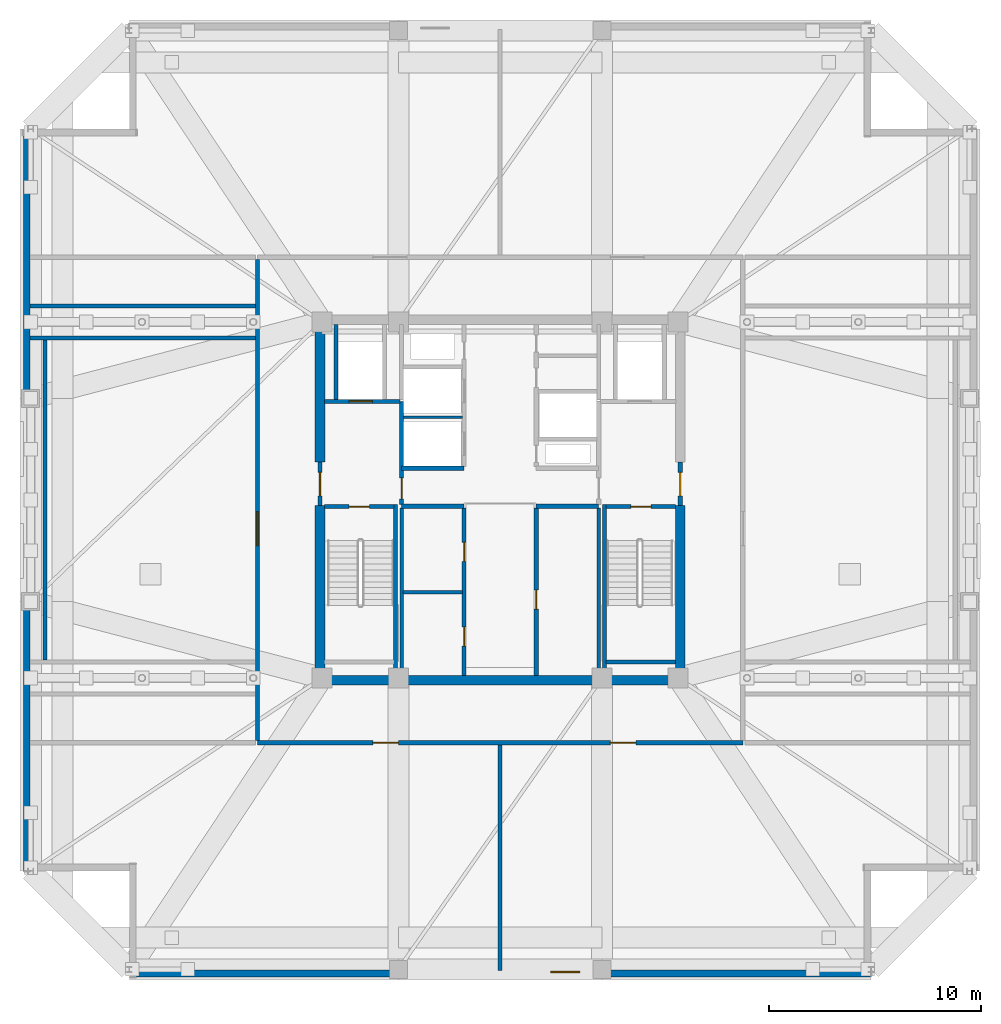
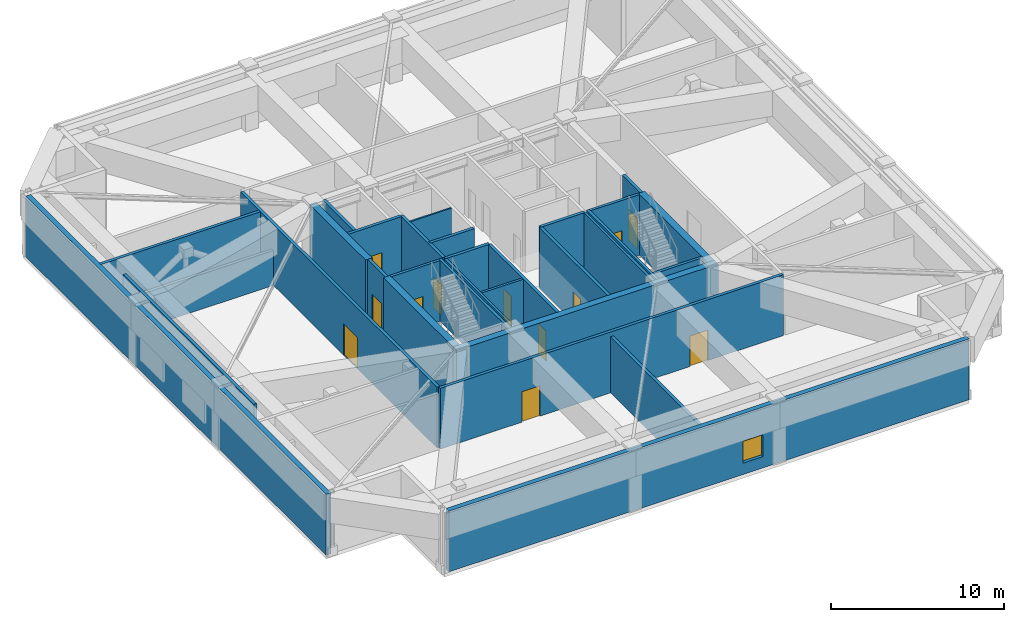
# One storey, part 10 of 17: 31 walls, 12 doors, 1 window, 13 openings.
"""IFC4 building model written with IfcOpenShell, lengths in metres."""

from ifc_helpers import new_model, si_unit, direction, frame, frame_2d, origin, place, context, subcontext, project, spatial, rectangle, extrude, material, layer, layer_set, type_object, element, fill, save


model = new_model("IFC4")

# Units and contexts
model_context = context("Model", 3, precision=1e-05, world=origin(), true_north=direction((0.0, 1.0)))
body_context = subcontext(model_context, "Body", "Model", "MODEL_VIEW")
ifc_project = project(units=[si_unit("LENGTHUNIT", "METRE"), si_unit("AREAUNIT", "SQUARE_METRE"), si_unit("VOLUMEUNIT", "CUBIC_METRE"), si_unit("PLANEANGLEUNIT", "RADIAN"), si_unit("MASSUNIT", "GRAM", prefix="KILO")], contexts=[model_context])

# Site, building, storey
site_placement = place(None, origin())
site = spatial("IfcSite", under=ifc_project, at=site_placement, CompositionType="ELEMENT")
building_placement = place(site_placement, origin())
building = spatial("IfcBuilding", under=site, at=building_placement, Name="Cairnveth Concourse Tower", CompositionType="ELEMENT")
storey_placement = place(building_placement, frame((0.0, 0.0, 276.0)))
storey = spatial("IfcBuildingStorey", under=building, at=storey_placement, Name="L76", CompositionType="ELEMENT", Elevation=276.0)

# Walls
ifc_material_1 = material(Name="Gypsum Plasterboard Partition", Category="gypsum")
ifc_layer_1 = layer(ifc_material_1, 0.159912109375)
ifc_layer_set_1 = layer_set([ifc_layer_1], Name="Gypsum Plasterboard Partition")
wall_type_1 = type_object("IfcWallType", Name="ACOUSTIC PARTY WALL 180", PredefinedType="PARTITIONING", material=ifc_layer_set_1)
wall_1_placement = place(storey_placement, frame((47.35009765625, 30.7099609375, 0.0), z_axis=(0.0, 0.0, 1.0), x_axis=(0.0, 1.0, 0.0)))
element("IfcWall", 1, at=wall_1_placement, inside=storey, type_object=wall_type_1, Name="Interior Wall IW-L76-025", PredefinedType="PARTITIONING", context=body_context, shape_type="SweptSolid", body=[
    extrude(rectangle(XDim=7.905029296875, YDim=0.159912109375, at=frame_2d((3.95263671875, 0.0))), origin(), (0.0, 0.0, 1.0), 4.2900390625),
])
wall_2_placement = place(storey_placement, frame((47.4150390625, 34.64990234375, 0.0), z_axis=(0.0, 0.0, 1.0), x_axis=(1.0, 0.0, 0.0)))
element("IfcWall", 2, at=wall_2_placement, inside=storey, type_object=wall_type_1, Name="Interior Wall IW-L76-026", PredefinedType="PARTITIONING", context=body_context, shape_type="SweptSolid", body=[
    extrude(rectangle(XDim=2.800048828125, YDim=0.159912109375, at=frame_2d((1.39990234375, 0.0))), origin(), (0.0, 0.0, 1.0), 4.2900390625),
])
wall_3_placement = place(storey_placement, frame((56.64990234375, 30.7099609375, 0.0), z_axis=(0.0, 0.0, 1.0), x_axis=(0.0, 1.0, 0.0)))
element("IfcWall", 3, at=wall_3_placement, inside=storey, type_object=wall_type_1, Name="Interior Wall IW-L76-027", PredefinedType="PARTITIONING", context=body_context, shape_type="SweptSolid", body=[
    extrude(rectangle(XDim=7.905029296875, YDim=0.159912109375, at=frame_2d((3.95263671875, 0.0))), origin(), (0.0, 0.0, 1.0), 4.2900390625),
])
ifc_material_2 = material(Name="Concrete N65 (65 MPa)", Category="concrete")
ifc_layer_2 = layer(ifc_material_2, 0.449951171875)
ifc_layer_set_2 = layer_set([ifc_layer_2], Name="Concrete N65 (65 MPa)")
wall_type_2 = type_object("IfcWallType", Name="CORE SHEAR WALL 450", PredefinedType="SHEAR", material=ifc_layer_set_2)
wall_4_placement = place(storey_placement, frame((43.27490234375, 30.5, 0.0), z_axis=(0.0, 0.0, 1.0), x_axis=(1.0, 0.0, 0.0)))
element("IfcWall", 4, at=wall_4_placement, inside=storey, type_object=wall_type_2, Name="Core South Shear Wall L76", PredefinedType="SHEAR", context=body_context, shape_type="SweptSolid", body=[
    extrude(rectangle(XDim=17.4501953125, YDim=0.449951171875, at=frame_2d((8.72509765625, 0.0))), origin(), (0.0, 0.0, 1.0), 4.2900390625),
])
wall_5_placement = place(storey_placement, frame((43.5, 30.715087890625, 0.0), z_axis=(0.0, 0.0, 1.0), x_axis=(0.0, 1.0, 0.0)))
element("IfcWall", 5, at=wall_5_placement, inside=storey, type_object=wall_type_2, Name="Core West Shear Wall S L76", PredefinedType="SHEAR", context=body_context, shape_type="SweptSolid", body=[
    extrude(rectangle(XDim=8.034912109375, YDim=0.449951171875, at=frame_2d((4.017578125, 0.0))), origin(), (0.0, 0.0, 1.0), 4.2900390625),
])
wall_6_placement = place(storey_placement, frame((43.5, 40.800048828125, 0.0), z_axis=(0.0, 0.0, 1.0), x_axis=(0.0, 1.0, 0.0)))
element("IfcWall", 6, at=wall_6_placement, inside=storey, type_object=wall_type_2, Name="Core West Shear Wall N L76", PredefinedType="SHEAR", context=body_context, shape_type="SweptSolid", body=[
    extrude(rectangle(XDim=6.48486328125, YDim=0.449951171875, at=frame_2d((3.242431640625, 0.0))), origin(), (0.0, 0.0, 1.0), 4.2900390625),
])
wall_7_placement = place(storey_placement, frame((60.5, 30.715087890625, 0.0), z_axis=(0.0, 0.0, 1.0), x_axis=(0.0, 1.0, 0.0)))
element("IfcWall", 7, at=wall_7_placement, inside=storey, type_object=wall_type_2, Name="Core East Shear Wall S L76", PredefinedType="SHEAR", context=body_context, shape_type="SweptSolid", body=[
    extrude(rectangle(XDim=8.034912109375, YDim=0.449951171875, at=frame_2d((4.017578125, 0.0))), origin(), (0.0, 0.0, 1.0), 4.2900390625),
])

# Wall, opening, door
ifc_material_3 = material(Name="Concrete N50 (50 MPa)", Category="concrete")
ifc_layer_3 = layer(ifc_material_3, 0.179931640625)
ifc_layer_set_3 = layer_set([ifc_layer_3], Name="Concrete N50 (50 MPa)")
wall_type_3 = type_object("IfcWallType", Name="FIRE SHAFT WALL 180", PredefinedType="SOLIDWALL", material=ifc_layer_set_3)
wall_8_placement = place(storey_placement, frame((43.715087890625, 38.68994140625, 0.0), z_axis=(0.0, 0.0, 1.0), x_axis=(1.0, 0.0, 0.0)))
wall_8 = element("IfcWall", 8, at=wall_8_placement, inside=storey, type_object=wall_type_3, Name="Stair ST-1 Shaft Wall NEAR L76", PredefinedType="SOLIDWALL", context=body_context, shape_type="SweptSolid", body=[
    extrude(rectangle(XDim=3.280029296875, YDim=0.179931640625, at=frame_2d((1.64013671875, 0.0))), origin(), (0.0, 0.0, 1.0), 4.2900390625),
])
opening_1_placement = place(wall_8_placement, frame((1.1650390625, 0.0, 0.0)))
opening_1 = element("IfcOpeningElement", 9, at=opening_1_placement, cuts=wall_8, Name="Opening ID12", PredefinedType="OPENING", context=body_context, shape_type="SweptSolid", body=[
    extrude(rectangle(XDim=0.949951171875, YDim=2.14990234375, at=frame_2d((0.47509765625, 1.074951171875))), frame((0.0, 0.099853515625, 0.0), z_axis=(0.0, -1.0, 0.0), x_axis=(1.0, 0.0, 0.0)), (0.0, 0.0, 1.0), 0.199951171875),
])
ifc_material_4 = material(Name="Steel Grade 350", Category="steel")
door_type_1 = type_object("IfcDoorType", Name="FIRE STAIR DOOR 950X2150", OperationType="NOTDEFINED", PredefinedType="DOOR", material=ifc_material_4)
door_1_placement = place(opening_1_placement, origin())
door_1 = element("IfcDoor", 10, at=door_1_placement, inside=storey, type_object=door_type_1, Name="Stair ST-1 Fire Door L76", OperationType="SINGLE_SWING_LEFT", OverallHeight=2.14990234375, OverallWidth=0.949951171875, PredefinedType="DOOR", context=body_context, shape_type="SweptSolid", body=[
    extrude(rectangle(XDim=0.949951171875, YDim=2.14990234375, at=frame_2d((0.47509765625, 1.074951171875))), frame((0.0, 0.02490234375, 0.0), z_axis=(0.0, -1.0, 0.0), x_axis=(1.0, 0.0, 0.0)), (0.0, 0.0, 1.0), 0.050048828125),
])
fill(opening_1, door_1)

# Wall
wall_9_placement = place(storey_placement, frame((47.070068359375, 38.780029296875, 0.0), z_axis=(0.0, 0.0, 1.0), x_axis=(0.0, -1.0, 0.0)))
element("IfcWall", 11, at=wall_9_placement, inside=storey, type_object=wall_type_3, Name="Stair ST-1 Shaft Wall RGHT L76", PredefinedType="SOLIDWALL", context=body_context, shape_type="SweptSolid", body=[
    extrude(rectangle(XDim=8.067138671875, YDim=0.179931640625, at=frame_2d((4.03369140625, 0.0))), origin(), (0.0, 0.0, 1.0), 4.2900390625),
])

# Wall, opening, door
wall_10_placement = place(storey_placement, frame((57.0048828125, 38.68994140625, 0.0), z_axis=(0.0, 0.0, 1.0), x_axis=(1.0, 0.0, 0.0)))
wall_10 = element("IfcWall", 12, at=wall_10_placement, inside=storey, type_object=wall_type_3, Name="Stair ST-2 Shaft Wall NEAR L76", PredefinedType="SOLIDWALL", context=body_context, shape_type="SweptSolid", body=[
    extrude(rectangle(XDim=3.280029296875, YDim=0.179931640625, at=frame_2d((1.64013671875, 0.0))), origin(), (0.0, 0.0, 1.0), 4.2900390625),
])
opening_2_placement = place(wall_10_placement, frame((1.1650390625, 0.0, 0.0)))
opening_2 = element("IfcOpeningElement", 13, at=opening_2_placement, cuts=wall_10, Name="Opening ID12", PredefinedType="OPENING", context=body_context, shape_type="SweptSolid", body=[
    extrude(rectangle(XDim=0.949951171875, YDim=2.14990234375, at=frame_2d((0.47509765625, 1.074951171875))), frame((0.0, 0.099853515625, 0.0), z_axis=(0.0, -1.0, 0.0), x_axis=(1.0, 0.0, 0.0)), (0.0, 0.0, 1.0), 0.199951171875),
])
door_2_placement = place(opening_2_placement, origin())
door_2 = element("IfcDoor", 14, at=door_2_placement, inside=storey, type_object=door_type_1, Name="Stair ST-2 Fire Door L76", OperationType="SINGLE_SWING_RIGHT", OverallHeight=2.14990234375, OverallWidth=0.949951171875, PredefinedType="DOOR", context=body_context, shape_type="SweptSolid", body=[
    extrude(rectangle(XDim=0.949951171875, YDim=2.14990234375, at=frame_2d((0.47509765625, 1.074951171875))), frame((0.0, 0.02490234375, 0.0), z_axis=(0.0, -1.0, 0.0), x_axis=(1.0, 0.0, 0.0)), (0.0, 0.0, 1.0), 0.050048828125),
])
fill(opening_2, door_2)

# Walls
wall_11_placement = place(storey_placement, frame((57.0048828125, 31.360107421875, 0.0), z_axis=(0.0, 0.0, 1.0), x_axis=(1.0, 0.0, 0.0)))
element("IfcWall", 15, at=wall_11_placement, inside=storey, type_object=wall_type_3, Name="Stair ST-2 Shaft Wall FAR L76", PredefinedType="SOLIDWALL", context=body_context, shape_type="SweptSolid", body=[
    extrude(rectangle(XDim=3.280029296875, YDim=0.179931640625, at=frame_2d((1.64013671875, 0.0))), origin(), (0.0, 0.0, 1.0), 4.2900390625),
])
wall_12_placement = place(storey_placement, frame((56.929931640625, 38.780029296875, 0.0), z_axis=(0.0, 0.0, 1.0), x_axis=(0.0, -1.0, 0.0)))
element("IfcWall", 16, at=wall_12_placement, inside=storey, type_object=wall_type_3, Name="Stair ST-2 Shaft Wall LEFT L76", PredefinedType="SOLIDWALL", context=body_context, shape_type="SweptSolid", body=[
    extrude(rectangle(XDim=8.067138671875, YDim=0.179931640625, at=frame_2d((4.03369140625, 0.0))), origin(), (0.0, 0.0, 1.0), 4.2900390625),
])
ifc_layer_4 = layer(ifc_material_3, 0.199951171875)
ifc_layer_set_4 = layer_set([ifc_layer_4], Name="Concrete N50 (50 MPa)")
wall_type_4 = type_object("IfcWallType", Name="FIRE SHAFT WALL 200", PredefinedType="SOLIDWALL", material=ifc_layer_set_4)
for number, where, z_axis, x_axis, name in (
    (17, (47.35009765625, 38.699951171875, 0.0), (0.0, 0.0, 1.0), (1.0, 0.0, 0.0), "Interior Wall IW-L76-007"),
    (18, (47.35009765625, 40.5, 0.0), (0.0, 0.0, 1.0), (1.0, 0.0, 0.0), "Interior Wall IW-L76-008"),
    (19, (53.699951171875, 38.699951171875, 0.0), (0.0, 0.0, 1.0), (1.0, 0.0, 0.0), "Interior Wall IW-L76-009"),
):
    element("IfcWall", number, at=place(storey_placement, frame(where, z_axis=z_axis, x_axis=x_axis)), inside=storey, type_object=wall_type_4, Name=name, PredefinedType="SOLIDWALL", context=body_context, shape_type="SweptSolid", body=[
        extrude(rectangle(XDim=2.949951171875, YDim=0.199951171875, at=frame_2d((1.47509765625, 0.0))), origin(), (0.0, 0.0, 1.0), 4.2900390625),
    ])

# Wall, openings, doors
wall_13_placement = place(storey_placement, frame((50.300048828125, 30.7099609375, 0.0), z_axis=(0.0, 0.0, 1.0), x_axis=(0.0, 1.0, 0.0)))
wall_13 = element("IfcWall", 20, at=wall_13_placement, inside=storey, type_object=wall_type_4, Name="Interior Wall IW-L76-011", PredefinedType="SOLIDWALL", context=body_context, shape_type="SweptSolid", body=[
    extrude(rectangle(XDim=7.905029296875, YDim=0.199951171875, at=frame_2d((3.95263671875, 0.0))), origin(), (0.0, 0.0, 1.0), 4.2900390625),
])
opening_3_placement = place(wall_13_placement, frame((1.389892578125, 0.0, 0.0)))
opening_3 = element("IfcOpeningElement", 21, at=opening_3_placement, cuts=wall_13, Name="Opening ID26", PredefinedType="OPENING", context=body_context, shape_type="SweptSolid", body=[
    extrude(rectangle(XDim=0.89990234375, YDim=2.1201171875, at=frame_2d((0.449951171875, 1.06005859375))), frame((0.0, 0.10986328125, 0.0), z_axis=(0.0, -1.0, 0.0), x_axis=(1.0, 0.0, 0.0)), (0.0, 0.0, 1.0), 0.219970703125),
])
opening_4_placement = place(wall_13_placement, frame((5.389892578125, 0.0, 0.0)))
opening_4 = element("IfcOpeningElement", 22, at=opening_4_placement, cuts=wall_13, Name="Opening ID26", PredefinedType="OPENING", context=body_context, shape_type="SweptSolid", body=[
    extrude(rectangle(XDim=0.89990234375, YDim=2.1201171875, at=frame_2d((0.449951171875, 1.06005859375))), frame((0.0, 0.10986328125, 0.0), z_axis=(0.0, -1.0, 0.0), x_axis=(1.0, 0.0, 0.0)), (0.0, 0.0, 1.0), 0.219970703125),
])
door_type_2 = type_object("IfcDoorType", Name="CORE TOILET FIRE DOOR 900X2120", OperationType="NOTDEFINED", PredefinedType="DOOR", material=ifc_material_4)
door_3_placement = place(opening_3_placement, origin())
door_3 = element("IfcDoor", 23, at=door_3_placement, inside=storey, type_object=door_type_2, Name="Male WC Door L76", OperationType="SINGLE_SWING_LEFT", OverallHeight=2.1201171875, OverallWidth=0.89990234375, PredefinedType="DOOR", context=body_context, shape_type="SweptSolid", body=[
    extrude(rectangle(XDim=0.89990234375, YDim=2.1201171875, at=frame_2d((0.449951171875, 1.06005859375))), frame((0.0, 0.02490234375, 0.0), z_axis=(0.0, -1.0, 0.0), x_axis=(1.0, 0.0, 0.0)), (0.0, 0.0, 1.0), 0.050048828125),
])
fill(opening_3, door_3)
door_4_placement = place(opening_4_placement, origin())
door_4 = element("IfcDoor", 24, at=door_4_placement, inside=storey, type_object=door_type_2, Name="Female WC Door L76", OperationType="SINGLE_SWING_RIGHT", OverallHeight=2.1201171875, OverallWidth=0.89990234375, PredefinedType="DOOR", context=body_context, shape_type="SweptSolid", body=[
    extrude(rectangle(XDim=0.89990234375, YDim=2.1201171875, at=frame_2d((0.449951171875, 1.06005859375))), frame((0.0, 0.02490234375, 0.0), z_axis=(0.0, -1.0, 0.0), x_axis=(1.0, 0.0, 0.0)), (0.0, 0.0, 1.0), 0.050048828125),
])
fill(opening_4, door_4)

# Wall, opening, door
wall_14_placement = place(storey_placement, frame((53.699951171875, 30.7099609375, 0.0), z_axis=(0.0, 0.0, 1.0), x_axis=(0.0, 1.0, 0.0)))
wall_14 = element("IfcWall", 25, at=wall_14_placement, inside=storey, type_object=wall_type_4, Name="Interior Wall IW-L76-012", PredefinedType="SOLIDWALL", context=body_context, shape_type="SweptSolid", body=[
    extrude(rectangle(XDim=7.905029296875, YDim=0.199951171875, at=frame_2d((3.95263671875, 0.0))), origin(), (0.0, 0.0, 1.0), 4.2900390625),
])
opening_5_placement = place(wall_14_placement, frame((3.139892578125, 0.0, 0.0)))
opening_5 = element("IfcOpeningElement", 26, at=opening_5_placement, cuts=wall_14, Name="Opening ID16", PredefinedType="OPENING", context=body_context, shape_type="SweptSolid", body=[
    extrude(rectangle(XDim=0.89990234375, YDim=2.1201171875, at=frame_2d((0.449951171875, 1.06005859375))), frame((0.0, 0.10986328125, 0.0), z_axis=(0.0, -1.0, 0.0), x_axis=(1.0, 0.0, 0.0)), (0.0, 0.0, 1.0), 0.219970703125),
])
door_type_3 = type_object("IfcDoorType", Name="CORE SERVICE DOOR 900X2100", OperationType="NOTDEFINED", PredefinedType="DOOR", material=ifc_material_4)
door_5_placement = place(opening_5_placement, origin())
door_5 = element("IfcDoor", 27, at=door_5_placement, inside=storey, type_object=door_type_3, Name="Sky Pantry Door L76", OperationType="SINGLE_SWING_LEFT", OverallHeight=2.1201171875, OverallWidth=0.89990234375, PredefinedType="DOOR", context=body_context, shape_type="SweptSolid", body=[
    extrude(rectangle(XDim=0.89990234375, YDim=2.1201171875, at=frame_2d((0.449951171875, 1.06005859375))), frame((0.0, 0.02490234375, 0.0), z_axis=(0.0, -1.0, 0.0), x_axis=(1.0, 0.0, 0.0)), (0.0, 0.0, 1.0), 0.050048828125),
])
fill(opening_5, door_5)

wall_15_placement = place(storey_placement, frame((43.5, 38.75, 0.0), z_axis=(0.0, 0.0, 1.0), x_axis=(0.0, 1.0, 0.0)))
wall_15 = element("IfcWall", 28, at=wall_15_placement, inside=storey, type_object=wall_type_4, Name="Interior Wall IW-L76-015", PredefinedType="SOLIDWALL", context=body_context, shape_type="SweptSolid", body=[
    extrude(rectangle(XDim=2.050048828125, YDim=0.199951171875, at=frame_2d((1.02490234375, 0.0))), origin(), (0.0, 0.0, 1.0), 4.2900390625),
])
opening_6_placement = place(wall_15_placement, frame((0.449951171875, 0.0, 0.0)))
opening_6 = element("IfcOpeningElement", 29, at=opening_6_placement, cuts=wall_15, Name="Opening ID06", PredefinedType="OPENING", context=body_context, shape_type="SweptSolid", body=[
    extrude(rectangle(XDim=1.10009765625, YDim=2.14990234375, at=frame_2d((0.550048828125, 1.074951171875))), frame((0.0, 0.10986328125, 0.0), z_axis=(0.0, -1.0, 0.0), x_axis=(1.0, 0.0, 0.0)), (0.0, 0.0, 1.0), 0.219970703125),
])
door_type_4 = type_object("IfcDoorType", Name="FIRE CORRIDOR DOOR 1100X2150", OperationType="NOTDEFINED", PredefinedType="DOOR", material=ifc_material_4)
door_6_placement = place(opening_6_placement, origin())
door_6 = element("IfcDoor", 30, at=door_6_placement, inside=storey, type_object=door_type_4, Name="West Wing to FF Lobby Door L76", OperationType="SINGLE_SWING_LEFT", OverallHeight=2.14990234375, OverallWidth=1.10009765625, PredefinedType="DOOR", context=body_context, shape_type="SweptSolid", body=[
    extrude(rectangle(XDim=1.10009765625, YDim=2.14990234375, at=frame_2d((0.550048828125, 1.074951171875))), frame((0.0, 0.02490234375, 0.0), z_axis=(0.0, -1.0, 0.0), x_axis=(1.0, 0.0, 0.0)), (0.0, 0.0, 1.0), 0.050048828125),
])
fill(opening_6, door_6)

wall_16_placement = place(storey_placement, frame((47.35009765625, 38.784912109375, 0.0), z_axis=(0.0, 0.0, 1.0), x_axis=(0.0, 1.0, 0.0)))
wall_16 = element("IfcWall", 31, at=wall_16_placement, inside=storey, type_object=wall_type_4, Name="Interior Wall IW-L76-016", PredefinedType="SOLIDWALL", context=body_context, shape_type="SweptSolid", body=[
    extrude(rectangle(XDim=4.864990234375, YDim=0.199951171875, at=frame_2d((2.4326171875, 0.0))), origin(), (0.0, 0.0, 1.0), 4.2900390625),
])
opening_7_placement = place(wall_16_placement, frame((0.264892578125, 0.0, 0.0)))
opening_7 = element("IfcOpeningElement", 32, at=opening_7_placement, cuts=wall_16, Name="Opening ID07", PredefinedType="OPENING", context=body_context, shape_type="SweptSolid", body=[
    extrude(rectangle(XDim=1.0, YDim=2.14990234375, at=frame_2d((0.5, 1.074951171875))), frame((0.0, 0.10986328125, 0.0), z_axis=(0.0, -1.0, 0.0), x_axis=(1.0, 0.0, 0.0)), (0.0, 0.0, 1.0), 0.219970703125),
])
door_type_5 = type_object("IfcDoorType", Name="FIRE CORRIDOR DOOR 1000X2150", OperationType="NOTDEFINED", PredefinedType="DOOR", material=ifc_material_4)
door_7_placement = place(opening_7_placement, origin())
door_7 = element("IfcDoor", 33, at=door_7_placement, inside=storey, type_object=door_type_5, Name="FF Lobby West to Lift Lobby Door L76", OperationType="SINGLE_SWING_RIGHT", OverallHeight=2.14990234375, OverallWidth=1.0, PredefinedType="DOOR", context=body_context, shape_type="SweptSolid", body=[
    extrude(rectangle(XDim=1.0, YDim=2.14990234375, at=frame_2d((0.5, 1.074951171875))), frame((0.0, 0.02490234375, 0.0), z_axis=(0.0, -1.0, 0.0), x_axis=(1.0, 0.0, 0.0)), (0.0, 0.0, 1.0), 0.050048828125),
])
fill(opening_7, door_7)

wall_17_placement = place(storey_placement, frame((43.7099609375, 43.64990234375, 0.0), z_axis=(0.0, 0.0, 1.0), x_axis=(1.0, 0.0, 0.0)))
wall_17 = element("IfcWall", 34, at=wall_17_placement, inside=storey, type_object=wall_type_4, Name="Interior Wall IW-L76-017", PredefinedType="SOLIDWALL", context=body_context, shape_type="SweptSolid", body=[
    extrude(rectangle(XDim=3.554931640625, YDim=0.199951171875, at=frame_2d((1.77734375, 0.0))), origin(), (0.0, 0.0, 1.0), 4.2900390625),
])
opening_8_placement = place(wall_17_placement, frame((1.159912109375, 0.0, 0.0)))
opening_8 = element("IfcOpeningElement", 35, at=opening_8_placement, cuts=wall_17, Name="Opening LD-1", PredefinedType="OPENING", context=body_context, shape_type="SweptSolid", body=[
    extrude(rectangle(XDim=1.10009765625, YDim=2.199951171875, at=frame_2d((0.550048828125, 1.10009765625))), frame((0.0, 0.10986328125, 0.0), z_axis=(0.0, -1.0, 0.0), x_axis=(1.0, 0.0, 0.0)), (0.0, 0.0, 1.0), 0.219970703125),
])
ifc_material_5 = material(Name="Architectural Bronze Anodised Aluminium 6063-T6", Category="aluminium")
door_type_6 = type_object("IfcDoorType", Name="LIFT LANDING DOOR 1100X2200", OperationType="SLIDING_TO_LEFT", PredefinedType="DOOR", material=ifc_material_5)
door_8_placement = place(opening_8_placement, origin())
door_8 = element("IfcDoor", 36, at=door_8_placement, inside=storey, type_object=door_type_6, Name="Lift FFL1 Landing Door L76", OperationType="SLIDING_TO_LEFT", OverallHeight=2.199951171875, OverallWidth=1.10009765625, PredefinedType="DOOR", context=body_context, shape_type="SweptSolid", body=[
    extrude(rectangle(XDim=1.10009765625, YDim=2.199951171875, at=frame_2d((0.550048828125, 1.10009765625))), frame((0.0, 0.02490234375, 0.0), z_axis=(0.0, -1.0, 0.0), x_axis=(1.0, 0.0, 0.0)), (0.0, 0.0, 1.0), 0.050048828125),
])
fill(opening_8, door_8)

# Wall
wall_18_placement = place(storey_placement, frame((44.25, 43.735107421875, 0.0), z_axis=(0.0, 0.0, 1.0), x_axis=(0.0, 1.0, 0.0)))
element("IfcWall", 37, at=wall_18_placement, inside=storey, type_object=wall_type_4, Name="Interior Wall IW-L76-019", PredefinedType="SOLIDWALL", context=body_context, shape_type="SweptSolid", body=[
    extrude(rectangle(XDim=3.554931640625, YDim=0.199951171875, at=frame_2d((1.77734375, 0.0))), origin(), (0.0, 0.0, 1.0), 4.2900390625),
])

# Wall, opening, door
wall_19_placement = place(storey_placement, frame((60.5, 38.75, 0.0), z_axis=(0.0, 0.0, 1.0), x_axis=(0.0, 1.0, 0.0)))
wall_19 = element("IfcWall", 38, at=wall_19_placement, inside=storey, type_object=wall_type_4, Name="Interior Wall IW-L76-020", PredefinedType="SOLIDWALL", context=body_context, shape_type="SweptSolid", body=[
    extrude(rectangle(XDim=2.050048828125, YDim=0.199951171875, at=frame_2d((1.02490234375, 0.0))), origin(), (0.0, 0.0, 1.0), 4.2900390625),
])
opening_9_placement = place(wall_19_placement, frame((0.449951171875, 0.0, 0.0)))
opening_9 = element("IfcOpeningElement", 39, at=opening_9_placement, cuts=wall_19, Name="Opening ID06", PredefinedType="OPENING", context=body_context, shape_type="SweptSolid", body=[
    extrude(rectangle(XDim=1.10009765625, YDim=2.14990234375, at=frame_2d((0.550048828125, 1.074951171875))), frame((0.0, 0.10986328125, 0.0), z_axis=(0.0, -1.0, 0.0), x_axis=(1.0, 0.0, 0.0)), (0.0, 0.0, 1.0), 0.219970703125),
])
door_9_placement = place(opening_9_placement, origin())
door_9 = element("IfcDoor", 40, at=door_9_placement, inside=storey, type_object=door_type_4, Name="East Wing to FF Lobby Door L76", OperationType="SINGLE_SWING_RIGHT", OverallHeight=2.14990234375, OverallWidth=1.10009765625, PredefinedType="DOOR", context=body_context, shape_type="SweptSolid", body=[
    extrude(rectangle(XDim=1.10009765625, YDim=2.14990234375, at=frame_2d((0.550048828125, 1.074951171875))), frame((0.0, 0.02490234375, 0.0), z_axis=(0.0, -1.0, 0.0), x_axis=(1.0, 0.0, 0.0)), (0.0, 0.0, 1.0), 0.050048828125),
])
fill(opening_9, door_9)

# Wall, openings, doors
wall_20_placement = place(storey_placement, frame((40.550048828125, 27.550048828125, 0.0), z_axis=(0.0, 0.0, 1.0), x_axis=(1.0, 0.0, 0.0)))
wall_20 = element("IfcWall", 41, at=wall_20_placement, inside=storey, type_object=wall_type_4, Name="Interior Wall IW-L76-035", PredefinedType="SOLIDWALL", context=body_context, shape_type="SweptSolid", body=[
    extrude(rectangle(XDim=22.89990234375, YDim=0.199951171875, at=frame_2d((11.449951171875, 0.0))), origin(), (0.0, 0.0, 1.0), 4.2900390625),
])
opening_10_placement = place(wall_20_placement, frame((5.449951171875, 0.0, 0.0)))
opening_10 = element("IfcOpeningElement", 42, at=opening_10_placement, cuts=wall_20, Name="Opening ID05", PredefinedType="OPENING", context=body_context, shape_type="SweptSolid", body=[
    extrude(rectangle(XDim=1.199951171875, YDim=2.14990234375, at=frame_2d((0.60009765625, 1.074951171875))), frame((0.0, 0.10986328125, 0.0), z_axis=(0.0, -1.0, 0.0), x_axis=(1.0, 0.0, 0.0)), (0.0, 0.0, 1.0), 0.219970703125),
])
opening_11_placement = place(wall_20_placement, frame((16.64990234375, 0.0, 0.0)))
opening_11 = element("IfcOpeningElement", 43, at=opening_11_placement, cuts=wall_20, Name="Opening ID05", PredefinedType="OPENING", context=body_context, shape_type="SweptSolid", body=[
    extrude(rectangle(XDim=1.199951171875, YDim=2.14990234375, at=frame_2d((0.60009765625, 1.074951171875))), frame((0.0, 0.10986328125, 0.0), z_axis=(0.0, -1.0, 0.0), x_axis=(1.0, 0.0, 0.0)), (0.0, 0.0, 1.0), 0.219970703125),
])
door_type_7 = type_object("IfcDoorType", Name="FIRE CORRIDOR DOOR 1200X2150", OperationType="NOTDEFINED", PredefinedType="DOOR", material=ifc_material_4)
door_10_placement = place(opening_10_placement, origin())
door_10 = element("IfcDoor", 44, at=door_10_placement, inside=storey, type_object=door_type_7, Name="Refuge SW Door L76", OperationType="SINGLE_SWING_RIGHT", OverallHeight=2.14990234375, OverallWidth=1.199951171875, PredefinedType="DOOR", context=body_context, shape_type="SweptSolid", body=[
    extrude(rectangle(XDim=1.199951171875, YDim=2.14990234375, at=frame_2d((0.60009765625, 1.074951171875))), frame((0.0, 0.02490234375, 0.0), z_axis=(0.0, -1.0, 0.0), x_axis=(1.0, 0.0, 0.0)), (0.0, 0.0, 1.0), 0.050048828125),
])
fill(opening_10, door_10)
door_11_placement = place(opening_11_placement, origin())
door_11 = element("IfcDoor", 45, at=door_11_placement, inside=storey, type_object=door_type_7, Name="Refuge SE Door L76", OperationType="SINGLE_SWING_LEFT", OverallHeight=2.14990234375, OverallWidth=1.199951171875, PredefinedType="DOOR", context=body_context, shape_type="SweptSolid", body=[
    extrude(rectangle(XDim=1.199951171875, YDim=2.14990234375, at=frame_2d((0.60009765625, 1.074951171875))), frame((0.0, 0.02490234375, 0.0), z_axis=(0.0, -1.0, 0.0), x_axis=(1.0, 0.0, 0.0)), (0.0, 0.0, 1.0), 0.050048828125),
])
fill(opening_11, door_11)

# Wall, opening, door
wall_21_placement = place(storey_placement, frame((40.550048828125, 27.64990234375, 0.0), z_axis=(0.0, 0.0, 1.0), x_axis=(0.0, 1.0, 0.0)))
wall_21 = element("IfcWall", 46, at=wall_21_placement, inside=storey, type_object=wall_type_4, Name="Interior Wall IW-L76-037", PredefinedType="SOLIDWALL", context=body_context, shape_type="SweptSolid", body=[
    extrude(rectangle(XDim=22.7001953125, YDim=0.199951171875, at=frame_2d((11.35009765625, 0.0))), origin(), (0.0, 0.0, 1.0), 4.2900390625),
])
opening_12_placement = place(wall_21_placement, frame((9.199951171875, 0.0, 0.0)))
opening_12 = element("IfcOpeningElement", 47, at=opening_12_placement, cuts=wall_21, Name="Opening ID02", PredefinedType="OPENING", context=body_context, shape_type="SweptSolid", body=[
    extrude(rectangle(XDim=1.60009765625, YDim=2.199951171875, at=frame_2d((0.800048828125, 1.10009765625))), frame((0.0, 0.10986328125, 0.0), z_axis=(0.0, -1.0, 0.0), x_axis=(1.0, 0.0, 0.0)), (0.0, 0.0, 1.0), 0.219970703125),
])
door_type_8 = type_object("IfcDoorType", Name="PLANT DOUBLE DOOR 1600X2200", OperationType="DOUBLE_DOOR_SINGLE_SWING", PredefinedType="DOOR", material=ifc_material_4)
door_12_placement = place(opening_12_placement, origin())
door_12 = element("IfcDoor", 48, at=door_12_placement, inside=storey, type_object=door_type_8, Name="Interior Door DR-L76-020", OperationType="DOUBLE_DOOR_SINGLE_SWING", OverallHeight=2.199951171875, OverallWidth=1.60009765625, PredefinedType="DOOR", context=body_context, shape_type="SweptSolid", body=[
    extrude(rectangle(XDim=1.60009765625, YDim=2.199951171875, at=frame_2d((0.800048828125, 1.10009765625))), frame((0.0, 0.02490234375, 0.0), z_axis=(0.0, -1.0, 0.0), x_axis=(1.0, 0.0, 0.0)), (0.0, 0.0, 1.0), 0.050048828125),
])
fill(opening_12, door_12)

# Walls
wall_22_placement = place(storey_placement, frame((29.804931640625, 46.64990234375, 0.0), z_axis=(0.0, 0.0, 1.0), x_axis=(1.0, 0.0, 0.0)))
element("IfcWall", 49, at=wall_22_placement, inside=storey, type_object=wall_type_4, Name="Interior Wall IW-L76-043", PredefinedType="SOLIDWALL", context=body_context, shape_type="SweptSolid", body=[
    extrude(rectangle(XDim=10.64501953125, YDim=0.199951171875, at=frame_2d((5.322509765625, 0.0))), origin(), (0.0, 0.0, 1.0), 2.465087890625),
])
wall_23_placement = place(storey_placement, frame((29.804931640625, 48.14990234375, 0.0), z_axis=(0.0, 0.0, 1.0), x_axis=(1.0, 0.0, 0.0)))
element("IfcWall", 50, at=wall_23_placement, inside=storey, type_object=wall_type_4, Name="Interior Wall IW-L76-045", PredefinedType="SOLIDWALL", context=body_context, shape_type="SweptSolid", body=[
    extrude(rectangle(XDim=10.64501953125, YDim=0.199951171875, at=frame_2d((5.322509765625, 0.0))), origin(), (0.0, 0.0, 1.0), 4.2900390625),
])
wall_24_placement = place(storey_placement, frame((30.52001953125, 31.449951171875, 0.0), z_axis=(0.0, 0.0, 1.0), x_axis=(0.0, 1.0, 0.0)))
element("IfcWall", 51, at=wall_24_placement, inside=storey, type_object=wall_type_4, Name="Interior Wall IW-L76-047", PredefinedType="SOLIDWALL", context=body_context, shape_type="SweptSolid", body=[
    extrude(rectangle(XDim=15.10009765625, YDim=0.199951171875, at=frame_2d((7.550048828125, 0.0))), origin(), (0.0, 0.0, 1.0), 4.2900390625),
])
wall_25_placement = place(storey_placement, frame((52.0, 16.804931640625, 0.0), z_axis=(0.0, 0.0, 1.0), x_axis=(0.0, 1.0, 0.0)))
element("IfcWall", 52, at=wall_25_placement, inside=storey, type_object=wall_type_4, Name="Interior Wall IW-L76-049", PredefinedType="SOLIDWALL", context=body_context, shape_type="SweptSolid", body=[
    extrude(rectangle(XDim=10.64501953125, YDim=0.199951171875, at=frame_2d((5.322509765625, 0.0))), origin(), (0.0, 0.0, 1.0), 3.9580078125),
])
ifc_layer_5 = layer(ifc_material_1, 0.110107421875)
ifc_layer_set_5 = layer_set([ifc_layer_5], Name="Gypsum Plasterboard Partition")
wall_type_5 = type_object("IfcWallType", Name="SHAFT DIVIDER WALL 140", PredefinedType="PARTITIONING", material=ifc_layer_set_5)
wall_26_placement = place(storey_placement, frame((47.43505859375, 42.89990234375, 0.0), z_axis=(0.0, 0.0, 1.0), x_axis=(1.0, 0.0, 0.0)))
element("IfcWall", 53, at=wall_26_placement, inside=storey, type_object=wall_type_5, Name="Interior Wall IW-L76-029", PredefinedType="PARTITIONING", context=body_context, shape_type="SweptSolid", body=[
    extrude(rectangle(XDim=2.780029296875, YDim=0.110107421875, at=frame_2d((1.39013671875, 0.0))), origin(), (0.0, 0.0, 1.0), 4.2900390625),
])
ifc_material_6 = material(Name="Melbourne Buff Fired Clay Brick Masonry", Category="masonry")
ifc_layer_6 = layer(ifc_material_6, 0.320068359375)
ifc_layer_set_6 = layer_set([ifc_layer_6], Name="Melbourne Buff Fired Clay Brick Masonry")
wall_type_6 = type_object("IfcWallType", Name="ZONE 3 BRICK PIER SPANDREL WALL 320", PredefinedType="SOLIDWALL", material=ifc_layer_set_6)
wall_27_placement = place(storey_placement, frame((29.659912109375, 21.5, 0.0), z_axis=(0.0, 0.0, 1.0), x_axis=(0.0, 1.0, 0.0)))
element("IfcWall", 54, at=wall_27_placement, inside=storey, type_object=wall_type_6, Name="Exterior Wall EW-L76-S02", PredefinedType="SOLIDWALL", context=body_context, shape_type="SweptSolid", body=[
    extrude(rectangle(XDim=34.701904296875, YDim=0.320068359375, at=frame_2d((17.35107421875, 0.0))), origin(), (0.0, 0.0, 1.0), 4.2900390625),
])

# Wall, opening, window
wall_28_placement = place(storey_placement, frame((69.5, 16.659912109375, 0.0), z_axis=(0.0, 0.0, 1.0), x_axis=(-1.0, 0.0, 0.0)))
wall_28 = element("IfcWall", 55, at=wall_28_placement, inside=storey, type_object=wall_type_6, Name="Exterior Wall EW-L76-S11", PredefinedType="SOLIDWALL", context=body_context, shape_type="SweptSolid", body=[
    extrude(rectangle(XDim=34.701904296875, YDim=0.320068359375, at=frame_2d((17.35107421875, 0.0))), origin(), (0.0, 0.0, 1.0), 4.2900390625),
])
opening_13_placement = place(wall_28_placement, frame((13.7509765625, 0.0, 0.800048828125)))
opening_13 = element("IfcOpeningElement", 56, at=opening_13_placement, cuts=wall_28, Name="Opening W07", PredefinedType="OPENING", context=body_context, shape_type="SweptSolid", body=[
    extrude(rectangle(XDim=1.35009765625, YDim=1.5400390625, at=frame_2d((0.675048828125, 0.77001953125))), frame((0.0, 0.169921875, 0.0), z_axis=(0.0, -1.0, 0.0), x_axis=(1.0, 0.0, 0.0)), (0.0, 0.0, 1.0), 0.340087890625),
])
ifc_material_7 = material(Name="Double Glazed Low-E Clear Glass", Category="glass")
window_type = type_object("IfcWindowType", Name="DEEP-SET APARTMENT WINDOW 1550X1800", PartitioningType="DOUBLE_PANEL_VERTICAL", PredefinedType="WINDOW", material=ifc_material_7)
window_placement = place(opening_13_placement, origin())
window = element("IfcWindow", 57, at=window_placement, inside=storey, type_object=window_type, Name="WIN-L76-REF-S11", OverallHeight=1.5400390625, OverallWidth=1.35009765625, PartitioningType="SINGLE_PANEL", PredefinedType="WINDOW", context=body_context, shape_type="SweptSolid", body=[
    extrude(rectangle(XDim=1.35009765625, YDim=1.5400390625, at=frame_2d((0.675048828125, 0.77001953125))), frame((0.0, -0.0400390625, 0.0), z_axis=(0.0, -1.0, 0.0), x_axis=(1.0, 0.0, 0.0)), (0.0, 0.0, 1.0), 0.06005859375),
])
fill(opening_13, window)

save(model, "model.ifc")
